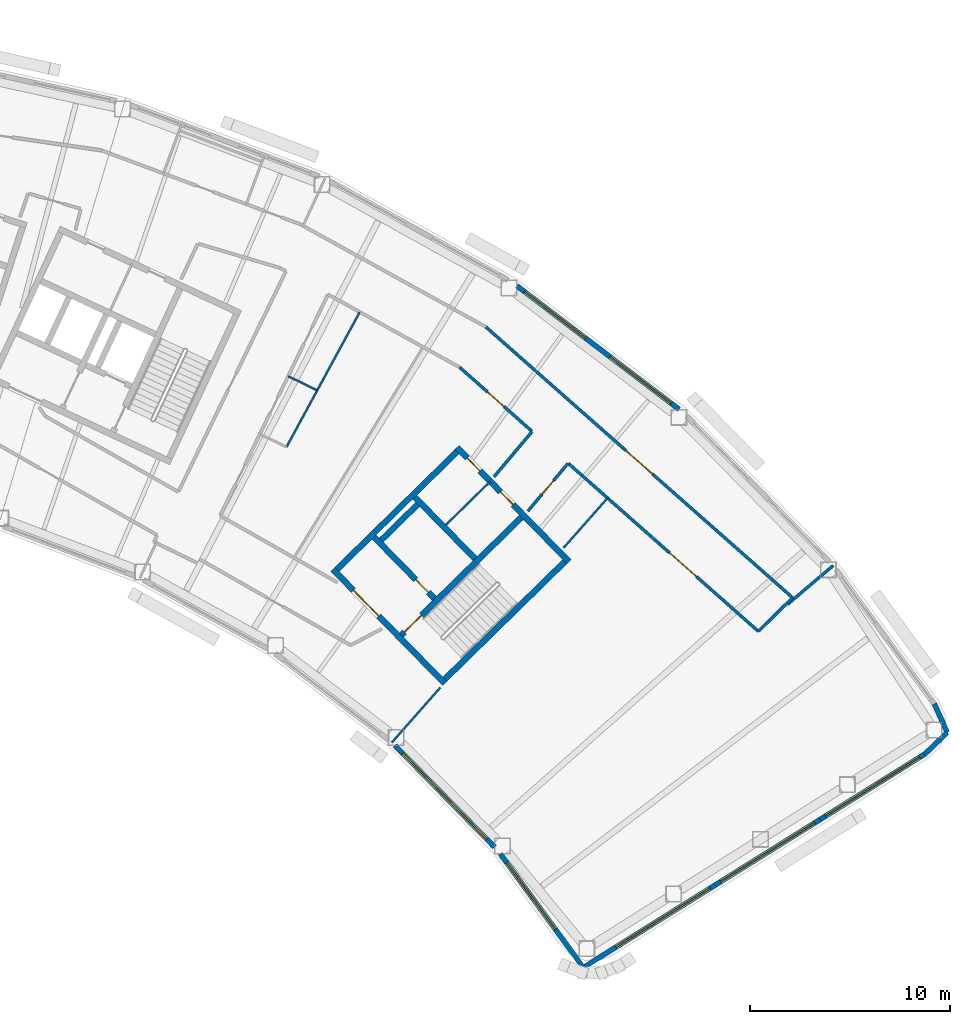
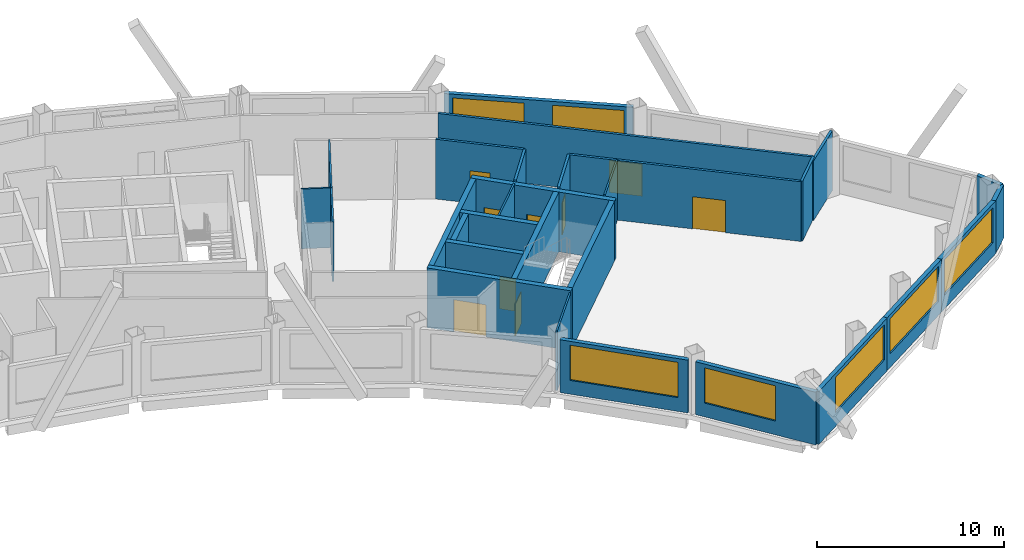
# One storey, part 9 of 14: 28 walls, 9 doors, 7 windows, 16 openings.
"""IFC4 building model written with IfcOpenShell, lengths in metres."""

from ifc_helpers import new_model, si_unit, direction, frame, frame_2d, origin, place, context, subcontext, project, spatial, rectangle, extrude, material, layer, layer_set, type_object, element, fill, save


model = new_model("IFC4")

# Units and contexts
model_context = context("Model", 3, precision=1e-05, world=origin(), true_north=direction((0.0, 1.0)))
body_context = subcontext(model_context, "Body", "Model", "MODEL_VIEW")
ifc_project = project(units=[si_unit("LENGTHUNIT", "METRE"), si_unit("AREAUNIT", "SQUARE_METRE"), si_unit("VOLUMEUNIT", "CUBIC_METRE"), si_unit("PLANEANGLEUNIT", "RADIAN"), si_unit("MASSUNIT", "GRAM", prefix="KILO")], contexts=[model_context])

# Site, building, storey
site_placement = place(None, origin())
site = spatial("IfcSite", under=ifc_project, at=site_placement, CompositionType="ELEMENT")
building_placement = place(site_placement, origin())
building = spatial("IfcBuilding", under=site, at=building_placement, Name="Tuul Gate Civic Tower", CompositionType="ELEMENT")
storey_placement = place(building_placement, frame((0.0, 0.0, 265.199951171875)))
storey = spatial("IfcBuildingStorey", under=building, at=storey_placement, Name="Level 60", CompositionType="ELEMENT", Elevation=265.199951171875)

# Wall, opening, door
ifc_material_1 = material(Name="Concrete C50/60", Category="concrete")
ifc_layer_1 = layer(ifc_material_1, 0.300048828125)
ifc_layer_set_1 = layer_set([ifc_layer_1], Name="Concrete C50/60")
wall_type_1 = type_object("IfcWallType", Name="Core wall C50/60", PredefinedType="SHEAR", material=ifc_layer_set_1)
wall_1_placement = place(storey_placement, frame((48.22509765625, -18.327880859375, 0.0), z_axis=(0.0, 0.0, 1.0), x_axis=(-0.700021979774, 0.714121297703, 0.0)))
wall_1 = element("IfcWall", 1, at=wall_1_placement, inside=storey, type_object=wall_type_1, Name="Core wall", PredefinedType="SHEAR", context=body_context, shape_type="SweptSolid", body=[
    extrude(rectangle(XDim=8.0, YDim=0.300048828125, at=frame_2d((4.0, 0.0))), origin(), (0.0, 0.0, 1.0), 3.900146484375),
])
opening_1_placement = place(wall_1_placement, frame((4.72509765625, 0.0, 0.0)))
opening_1 = element("IfcOpeningElement", 2, at=opening_1_placement, cuts=wall_1, Name="Opening LB-E1-LOBBY-1", PredefinedType="OPENING", context=body_context, shape_type="SweptSolid", body=[
    extrude(rectangle(XDim=1.800048828125, YDim=2.10009765625, at=frame_2d((0.89990234375, 1.050048828125))), frame((0.0, 0.16015625, 0.0), z_axis=(0.0, -1.0, 0.0), x_axis=(1.0, 0.0, 0.0)), (0.0, 0.0, 1.0), 0.320068359375),
])
ifc_material_2 = material(Name="Steel", Category="steel")
door_type_1 = type_object("IfcDoorType", Name="Lobby door", OperationType="DOUBLE_DOOR_SINGLE_SWING", PredefinedType="DOOR", material=ifc_material_2)
door_1_placement = place(opening_1_placement, frame((1.800048828125, 0.0, 0.0), z_axis=(0.0, 0.0, 1.0), x_axis=(-1.0, 0.0, 0.0)))
door_1 = element("IfcDoor", 3, at=door_1_placement, inside=storey, type_object=door_type_1, Name="Lobby door E1-LOBBY", OperationType="DOUBLE_DOOR_SINGLE_SWING", OverallHeight=2.10009765625, OverallWidth=1.800048828125, PredefinedType="DOOR", context=body_context, shape_type="SweptSolid", body=[
    extrude(rectangle(XDim=1.800048828125, YDim=2.10009765625, at=frame_2d((0.900146484375, 1.050048828125))), frame((0.0, 0.02490234375, 0.0), z_axis=(0.0, -1.0, 0.0), x_axis=(1.0, 0.0, 0.0)), (0.0, 0.0, 1.0), 0.050048828125),
])
fill(opening_1, door_1)

wall_2_placement = place(storey_placement, frame((47.701904296875, -14.079833984375, 0.0), z_axis=(0.0, 0.0, 1.0), x_axis=(-0.700002721075, 0.714140175657, 0.0)))
wall_2 = element("IfcWall", 4, at=wall_2_placement, inside=storey, type_object=wall_type_1, Name="Core wall", PredefinedType="SHEAR", context=body_context, shape_type="SweptSolid", body=[
    extrude(rectangle(XDim=4.300048828125, YDim=0.300048828125, at=frame_2d((2.14990234375, 0.0))), origin(), (0.0, 0.0, 1.0), 3.900146484375),
])
opening_2_placement = place(wall_2_placement, frame((0.425048828125, 0.0, 0.0)))
opening_2 = element("IfcOpeningElement", 5, at=opening_2_placement, cuts=wall_2, Name="Opening FB-E1A1", PredefinedType="OPENING", context=body_context, shape_type="SweptSolid", body=[
    extrude(rectangle(XDim=0.89990234375, YDim=2.10009765625, at=frame_2d((0.449951171875, 1.050048828125))), frame((0.0, 0.16015625, 0.0), z_axis=(0.0, -1.0, 0.0), x_axis=(1.0, 0.0, 0.0)), (0.0, 0.0, 1.0), 0.320068359375),
])
ifc_material_3 = material(Name="Steel", Category="steel")
door_type_2 = type_object("IfcDoorType", Name="Store door", OperationType="NOTDEFINED", PredefinedType="DOOR", material=ifc_material_3)
door_2_placement = place(opening_2_placement, frame((0.89990234375, 0.0, 0.0), z_axis=(0.0, 0.0, 1.0), x_axis=(-1.0, 0.0, 0.0)))
door_2 = element("IfcDoor", 6, at=door_2_placement, inside=storey, type_object=door_type_2, Name="Store door E1A1", OperationType="SINGLE_SWING_RIGHT", OverallHeight=2.10009765625, OverallWidth=0.89990234375, PredefinedType="DOOR", context=body_context, shape_type="SweptSolid", body=[
    extrude(rectangle(XDim=0.89990234375, YDim=2.10009765625, at=frame_2d((0.449951171875, 1.050048828125))), frame((0.0, 0.02490234375, 0.0), z_axis=(0.0, -1.0, 0.0), x_axis=(1.0, 0.0, 0.0)), (0.0, 0.0, 1.0), 0.050048828125),
])
fill(opening_2, door_2)

# Wall
wall_3_placement = place(storey_placement, frame((49.737060546875, -12.0849609375, 0.0), z_axis=(0.0, 0.0, 1.0), x_axis=(-0.700002721075, 0.714140175657, 0.0)))
element("IfcWall", 7, at=wall_3_placement, inside=storey, type_object=wall_type_1, Name="Core wall", PredefinedType="SHEAR", context=body_context, shape_type="SweptSolid", body=[
    extrude(rectangle(XDim=4.300048828125, YDim=0.300048828125, at=frame_2d((2.14990234375, 0.0))), origin(), (0.0, 0.0, 1.0), 3.900146484375),
])

# Wall, openings, doors
wall_4_placement = place(storey_placement, frame((54.43798828125, -12.23779296875, 0.0), z_axis=(0.0, 0.0, 1.0), x_axis=(-0.700021979774, 0.714121297703, 0.0)))
wall_4 = element("IfcWall", 8, at=wall_4_placement, inside=storey, type_object=wall_type_1, Name="Core wall", PredefinedType="SHEAR", context=body_context, shape_type="SweptSolid", body=[
    extrude(rectangle(XDim=8.0, YDim=0.300048828125, at=frame_2d((4.0, 0.0))), origin(), (0.0, 0.0, 1.0), 3.900146484375),
])
opening_3_placement = place(wall_4_placement, frame((3.987548828125, 0.0, 0.0)))
opening_3 = element("IfcOpeningElement", 9, at=opening_3_placement, cuts=wall_4, Name="Opening V-D28", PredefinedType="OPENING", context=body_context, shape_type="SweptSolid", body=[
    extrude(rectangle(XDim=0.89990234375, YDim=2.10009765625, at=frame_2d((0.449951171875, 1.050048828125))), frame((0.0, 0.16015625, 0.0), z_axis=(0.0, -1.0, 0.0), x_axis=(1.0, 0.0, 0.0)), (0.0, 0.0, 1.0), 0.320068359375),
])
opening_4_placement = place(wall_4_placement, frame((6.362548828125, 0.0, 0.0)))
opening_4 = element("IfcOpeningElement", 10, at=opening_4_placement, cuts=wall_4, Name="Opening V-D29", PredefinedType="OPENING", context=body_context, shape_type="SweptSolid", body=[
    extrude(rectangle(XDim=0.89990234375, YDim=2.10009765625, at=frame_2d((0.449951171875, 1.050048828125))), frame((0.0, 0.16015625, 0.0), z_axis=(0.0, -1.0, 0.0), x_axis=(1.0, 0.0, 0.0)), (0.0, 0.0, 1.0), 0.320068359375),
])
ifc_material_4 = material(Name="Timber door leaf", Category="wood")
door_type_3 = type_object("IfcDoorType", Name="Door D09", OperationType="NOTDEFINED", PredefinedType="DOOR", material=ifc_material_4)
door_3_placement = place(opening_3_placement, origin())
door_3 = element("IfcDoor", 11, at=door_3_placement, inside=storey, type_object=door_type_3, Name="Door V-D28", OperationType="SINGLE_SWING_LEFT", OverallHeight=2.10009765625, OverallWidth=0.89990234375, PredefinedType="DOOR", context=body_context, shape_type="SweptSolid", body=[
    extrude(rectangle(XDim=0.89990234375, YDim=2.10009765625, at=frame_2d((0.449951171875, 1.050048828125))), frame((0.0, 0.02490234375, 0.0), z_axis=(0.0, -1.0, 0.0), x_axis=(1.0, 0.0, 0.0)), (0.0, 0.0, 1.0), 0.050048828125),
])
fill(opening_3, door_3)
door_4_placement = place(opening_4_placement, origin())
door_4 = element("IfcDoor", 12, at=door_4_placement, inside=storey, type_object=door_type_3, Name="Door V-D29", OperationType="SINGLE_SWING_LEFT", OverallHeight=2.10009765625, OverallWidth=0.89990234375, PredefinedType="DOOR", context=body_context, shape_type="SweptSolid", body=[
    extrude(rectangle(XDim=0.89990234375, YDim=2.10009765625, at=frame_2d((0.449951171875, 1.050048828125))), frame((0.0, 0.02490234375, 0.0), z_axis=(0.0, -1.0, 0.0), x_axis=(1.0, 0.0, 0.0)), (0.0, 0.0, 1.0), 0.050048828125),
])
fill(opening_4, door_4)

# Wall
wall_5_placement = place(storey_placement, frame((48.227294921875, -18.115966796875, 0.0), z_axis=(0.0, 0.0, 1.0), x_axis=(0.714105315431, 0.700038283577, 0.0)))
element("IfcWall", 13, at=wall_5_placement, inside=storey, type_object=wall_type_1, Name="Core wall", PredefinedType="SHEAR", context=body_context, shape_type="SweptSolid", body=[
    extrude(rectangle(XDim=8.400146484375, YDim=0.300048828125, at=frame_2d((4.2001953125, 0.0))), origin(), (0.0, 0.0, 1.0), 3.900146484375),
])

# Wall, opening, door
wall_6_placement = place(storey_placement, frame((46.05712890625, -15.902099609375, 0.0), z_axis=(0.0, 0.0, 1.0), x_axis=(0.714134086973, 0.700008932674, 0.0)))
wall_6 = element("IfcWall", 14, at=wall_6_placement, inside=storey, type_object=wall_type_1, Name="Core wall", PredefinedType="SHEAR", context=body_context, shape_type="SweptSolid", body=[
    extrude(rectangle(XDim=8.400146484375, YDim=0.300048828125, at=frame_2d((4.2001953125, 0.0))), origin(), (0.0, 0.0, 1.0), 3.900146484375),
])
opening_5_placement = place(wall_6_placement, frame((0.199951171875, 0.0, 0.0)))
opening_5 = element("IfcOpeningElement", 15, at=opening_5_placement, cuts=wall_6, Name="Opening SD-ST-3", PredefinedType="OPENING", context=body_context, shape_type="SweptSolid", body=[
    extrude(rectangle(XDim=1.199951171875, YDim=2.10009765625, at=frame_2d((0.60009765625, 1.050048828125))), frame((0.0, 0.16015625, 0.0), z_axis=(0.0, -1.0, 0.0), x_axis=(1.0, 0.0, 0.0)), (0.0, 0.0, 1.0), 0.320068359375),
])
ifc_material_5 = material(Name="Steel", Category="steel")
door_type_4 = type_object("IfcDoorType", Name="Stair door", OperationType="NOTDEFINED", PredefinedType="DOOR", material=ifc_material_5)
door_5_placement = place(opening_5_placement, origin())
door_5 = element("IfcDoor", 16, at=door_5_placement, inside=storey, type_object=door_type_4, Name="Stair door ST-3", OperationType="SINGLE_SWING_LEFT", OverallHeight=2.10009765625, OverallWidth=1.199951171875, PredefinedType="DOOR", context=body_context, shape_type="SweptSolid", body=[
    extrude(rectangle(XDim=1.199951171875, YDim=2.10009765625, at=frame_2d((0.60009765625, 1.050048828125))), frame((0.0, 0.02490234375, 0.0), z_axis=(0.0, -1.0, 0.0), x_axis=(1.0, 0.0, 0.0)), (0.0, 0.0, 1.0), 0.050048828125),
])
fill(opening_5, door_5)

# Walls
wall_7_placement = place(storey_placement, frame((45.0439453125, -11.154052734375, 0.0), z_axis=(0.0, 0.0, 1.0), x_axis=(0.714108498262, 0.700035036773, 0.0)))
element("IfcWall", 17, at=wall_7_placement, inside=storey, type_object=wall_type_1, Name="Core wall", PredefinedType="SHEAR", context=body_context, shape_type="SweptSolid", body=[
    extrude(rectangle(XDim=2.550048828125, YDim=0.300048828125, at=frame_2d((1.27490234375, 0.0))), origin(), (0.0, 0.0, 1.0), 3.900146484375),
])
wall_8_placement = place(storey_placement, frame((42.837158203125, -12.616943359375, 0.0), z_axis=(0.0, 0.0, 1.0), x_axis=(0.714119844755, 0.700023461983, 0.0)))
element("IfcWall", 18, at=wall_8_placement, inside=storey, type_object=wall_type_1, Name="Core wall", PredefinedType="SHEAR", context=body_context, shape_type="SweptSolid", body=[
    extrude(rectangle(XDim=8.39990234375, YDim=0.300048828125, at=frame_2d((4.199951171875, 0.0))), origin(), (0.0, 0.0, 1.0), 3.900146484375),
])
ifc_material_6 = material(Name="Gypsum board partition")
ifc_layer_2 = layer(ifc_material_6, 0.14990234375)
ifc_layer_set_2 = layer_set([ifc_layer_2], Name="Gypsum board partition")
wall_type_2 = type_object("IfcWallType", Name="Corridor wall P150", PredefinedType="PARTITIONING", material=ifc_layer_set_2)
wall_9_placement = place(storey_placement, frame((65.37451171875, -14.36083984375, 0.0), z_axis=(0.0, 0.0, 1.0), x_axis=(0.762853274711, 0.646571636605, 0.0)))
element("IfcWall", 19, at=wall_9_placement, inside=storey, type_object=wall_type_2, Name="p004", PredefinedType="PARTITIONING", context=body_context, shape_type="SweptSolid", body=[
    extrude(rectangle(XDim=2.98974609375, YDim=0.14990234375, at=frame_2d((1.494873046875, 0.0))), origin(), (0.0, 0.0, 1.0), 3.900146484375),
])
wall_10_placement = place(storey_placement, frame((63.91015625, -15.72119140625, 0.0), z_axis=(0.0, 0.0, 1.0), x_axis=(0.711669598432, 0.702514329155, 0.0)))
element("IfcWall", 20, at=wall_10_placement, inside=storey, type_object=wall_type_2, Name="p005", PredefinedType="PARTITIONING", context=body_context, shape_type="SweptSolid", body=[
    extrude(rectangle(XDim=2.39990234375, YDim=0.14990234375, at=frame_2d((1.199951171875, 0.0))), origin(), (0.0, 0.0, 1.0), 3.900146484375),
])

# Wall, opening, door
wall_11_placement = place(storey_placement, frame((50.28125, -0.499267578125, 0.0), z_axis=(0.0, 0.0, 1.0), x_axis=(0.749757392986, -0.661712816608, 0.0)))
wall_11 = element("IfcWall", 21, at=wall_11_placement, inside=storey, type_object=wall_type_2, Name="p006", PredefinedType="PARTITIONING", context=body_context, shape_type="SweptSolid", body=[
    extrude(rectangle(XDim=20.455810546875, YDim=0.14990234375, at=frame_2d((10.22802734375, 0.0))), origin(), (0.0, 0.0, 1.0), 3.900146484375),
])
opening_6_placement = place(wall_11_placement, frame((9.327880859375, 0.0, 0.0)))
opening_6 = element("IfcOpeningElement", 22, at=opening_6_placement, cuts=wall_11, Name="Opening V-D01", PredefinedType="OPENING", context=body_context, shape_type="SweptSolid", body=[
    extrude(rectangle(XDim=1.800048828125, YDim=2.10009765625, at=frame_2d((0.89990234375, 1.050048828125))), frame((0.0, 0.0849609375, 0.0), z_axis=(0.0, -1.0, 0.0), x_axis=(1.0, 0.0, 0.0)), (0.0, 0.0, 1.0), 0.169921875),
])
ifc_material_7 = material(Name="Timber door leaf, double", Category="wood")
door_type_5 = type_object("IfcDoorType", Name="Door D18", OperationType="DOUBLE_DOOR_SINGLE_SWING", PredefinedType="DOOR", material=ifc_material_7)
door_6_placement = place(opening_6_placement, origin())
door_6 = element("IfcDoor", 23, at=door_6_placement, inside=storey, type_object=door_type_5, Name="Door V-D01", OperationType="DOUBLE_DOOR_SINGLE_SWING", OverallHeight=2.10009765625, OverallWidth=1.800048828125, PredefinedType="DOOR", context=body_context, shape_type="SweptSolid", body=[
    extrude(rectangle(XDim=1.800048828125, YDim=2.10009765625, at=frame_2d((0.89990234375, 1.050048828125))), frame((0.0, 0.02490234375, 0.0), z_axis=(0.0, -1.0, 0.0), x_axis=(1.0, 0.0, 0.0)), (0.0, 0.0, 1.0), 0.050048828125),
])
fill(opening_6, door_6)

wall_12_placement = place(storey_placement, frame((48.968017578125, -2.51611328125, 0.0), z_axis=(0.0, 0.0, 1.0), x_axis=(0.749324996254, -0.662202423726, 0.0)))
wall_12 = element("IfcWall", 24, at=wall_12_placement, inside=storey, type_object=wall_type_2, Name="p049", PredefinedType="PARTITIONING", context=body_context, shape_type="SweptSolid", body=[
    extrude(rectangle(XDim=4.82275390625, YDim=0.14990234375, at=frame_2d((2.411376953125, 0.0))), origin(), (0.0, 0.0, 1.0), 3.900146484375),
])
opening_7_placement = place(wall_12_placement, frame((1.861572265625, 0.0, 0.0)))
opening_7 = element("IfcOpeningElement", 25, at=opening_7_placement, cuts=wall_12, Name="Opening V-D17", PredefinedType="OPENING", context=body_context, shape_type="SweptSolid", body=[
    extrude(rectangle(XDim=1.10009765625, YDim=2.10009765625, at=frame_2d((0.550048828125, 1.050048828125))), frame((0.0, 0.0849609375, 0.0), z_axis=(0.0, -1.0, 0.0), x_axis=(1.0, 0.0, 0.0)), (0.0, 0.0, 1.0), 0.169921875),
])
ifc_material_8 = material(Name="Timber door leaf", Category="wood")
door_type_6 = type_object("IfcDoorType", Name="Door D11", OperationType="NOTDEFINED", PredefinedType="DOOR", material=ifc_material_8)
door_7_placement = place(opening_7_placement, frame((1.10009765625, 0.0, 0.0), z_axis=(0.0, 0.0, 1.0), x_axis=(-1.0, 0.0, 0.0)))
door_7 = element("IfcDoor", 26, at=door_7_placement, inside=storey, type_object=door_type_6, Name="Door V-D17", OperationType="SINGLE_SWING_LEFT", OverallHeight=2.10009765625, OverallWidth=1.10009765625, PredefinedType="DOOR", context=body_context, shape_type="SweptSolid", body=[
    extrude(rectangle(XDim=1.10009765625, YDim=2.10009765625, at=frame_2d((0.550048828125, 1.050048828125))), frame((0.0, 0.02490234375, 0.0), z_axis=(0.0, -1.0, 0.0), x_axis=(1.0, 0.0, 0.0)), (0.0, 0.0, 1.0), 0.050048828125),
])
fill(opening_7, door_7)

wall_13_placement = place(storey_placement, frame((54.41064453125, -7.326171875, 0.0), z_axis=(0.0, 0.0, 1.0), x_axis=(0.749325085344, -0.662202322915, 0.0)))
wall_13 = element("IfcWall", 27, at=wall_13_placement, inside=storey, type_object=wall_type_2, Name="p050", PredefinedType="PARTITIONING", context=body_context, shape_type="SweptSolid", body=[
    extrude(rectangle(XDim=12.677490234375, YDim=0.14990234375, at=frame_2d((6.3388671875, 0.0))), origin(), (0.0, 0.0, 1.0), 3.900146484375),
])
opening_8_placement = place(wall_13_placement, frame((6.7431640625, 0.0, 0.0)))
opening_8 = element("IfcOpeningElement", 28, at=opening_8_placement, cuts=wall_13, Name="Opening V-D08", PredefinedType="OPENING", context=body_context, shape_type="SweptSolid", body=[
    extrude(rectangle(XDim=1.800048828125, YDim=2.10009765625, at=frame_2d((0.89990234375, 1.050048828125))), frame((0.0, 0.0849609375, 0.0), z_axis=(0.0, -1.0, 0.0), x_axis=(1.0, 0.0, 0.0)), (0.0, 0.0, 1.0), 0.169921875),
])
door_8_placement = place(opening_8_placement, frame((1.800048828125, 0.0, 0.0), z_axis=(0.0, 0.0, 1.0), x_axis=(-1.0, 0.0, 0.0)))
door_8 = element("IfcDoor", 29, at=door_8_placement, inside=storey, type_object=door_type_5, Name="Door V-D08", OperationType="DOUBLE_DOOR_SINGLE_SWING", OverallHeight=2.10009765625, OverallWidth=1.800048828125, PredefinedType="DOOR", context=body_context, shape_type="SweptSolid", body=[
    extrude(rectangle(XDim=1.800048828125, YDim=2.10009765625, at=frame_2d((0.900146484375, 1.050048828125))), frame((0.0, 0.02490234375, 0.0), z_axis=(0.0, -1.0, 0.0), x_axis=(1.0, 0.0, 0.0)), (0.0, 0.0, 1.0), 0.050048828125),
])
fill(opening_8, door_8)

wall_14_placement = place(storey_placement, frame((52.3798828125, -9.709228515625, 0.0), z_axis=(0.0, 0.0, 1.0), x_axis=(0.643582174705, 0.765377021083, 0.0)))
wall_14 = element("IfcWall", 30, at=wall_14_placement, inside=storey, type_object=wall_type_2, Name="p051", PredefinedType="PARTITIONING", context=body_context, shape_type="SweptSolid", body=[
    extrude(rectangle(XDim=3.111083984375, YDim=0.14990234375, at=frame_2d((1.5556640625, 0.0))), origin(), (0.0, 0.0, 1.0), 3.900146484375),
])
opening_9_placement = place(wall_14_placement, frame((1.10546875, 0.0, 0.0)))
opening_9 = element("IfcOpeningElement", 31, at=opening_9_placement, cuts=wall_14, Name="Opening V-D09", PredefinedType="OPENING", context=body_context, shape_type="SweptSolid", body=[
    extrude(rectangle(XDim=0.89990234375, YDim=2.10009765625, at=frame_2d((0.449951171875, 1.050048828125))), frame((0.0, 0.0849609375, 0.0), z_axis=(0.0, -1.0, 0.0), x_axis=(1.0, 0.0, 0.0)), (0.0, 0.0, 1.0), 0.169921875),
])
door_9_placement = place(opening_9_placement, frame((0.89990234375, 0.0, 0.0), z_axis=(0.0, 0.0, 1.0), x_axis=(-1.0, 0.0, 0.0)))
door_9 = element("IfcDoor", 32, at=door_9_placement, inside=storey, type_object=door_type_3, Name="Door V-D09", OperationType="SINGLE_SWING_LEFT", OverallHeight=2.10009765625, OverallWidth=0.89990234375, PredefinedType="DOOR", context=body_context, shape_type="SweptSolid", body=[
    extrude(rectangle(XDim=0.89990234375, YDim=2.10009765625, at=frame_2d((0.449951171875, 1.050048828125))), frame((0.0, 0.02490234375, 0.0), z_axis=(0.0, -1.0, 0.0), x_axis=(1.0, 0.0, 0.0)), (0.0, 0.0, 1.0), 0.050048828125),
])
fill(opening_9, door_9)

# Walls
wall_15_placement = place(storey_placement, frame((50.692138671875, -7.9873046875, 0.0), z_axis=(0.0, 0.0, 1.0), x_axis=(0.643601041613, 0.765361156079, 0.0)))
element("IfcWall", 33, at=wall_15_placement, inside=storey, type_object=wall_type_2, Name="p089", PredefinedType="PARTITIONING", context=body_context, shape_type="SweptSolid", body=[
    extrude(rectangle(XDim=2.939453125, YDim=0.14990234375, at=frame_2d((1.4697265625, 0.0))), origin(), (0.0, 0.0, 1.0), 3.900146484375),
])
ifc_material_9 = material(Name="Precast concrete C40/50", Category="concrete")
ifc_layer_3 = layer(ifc_material_9, 0.25)
ifc_layer_set_3 = layer_set([ifc_layer_3], Name="Precast concrete C40/50")
wall_type_3 = type_object("IfcWallType", Name="External wall", PredefinedType="STANDARD", material=ifc_layer_set_3)
wall_16_placement = place(storey_placement, frame((72.2216796875, -21.86669921875, 0.0), z_axis=(0.0, 0.0, 1.0), x_axis=(0.722783622894, 0.69107440589, 0.0)))
element("IfcWall", 34, at=wall_16_placement, inside=storey, type_object=wall_type_3, Name="External wall", PredefinedType="STANDARD", context=body_context, shape_type="SweptSolid", body=[
    extrude(rectangle(XDim=1.570556640625, YDim=0.25, at=frame_2d((0.78515625, 0.0))), origin(), (0.0, 0.0, 1.0), 3.449951171875),
])
wall_17_placement = place(storey_placement, frame((73.35693359375, -20.78125, 0.0), z_axis=(0.0, 0.0, 1.0), x_axis=(-0.412995937313, 0.9107328674, 0.0)))
element("IfcWall", 35, at=wall_17_placement, inside=storey, type_object=wall_type_3, Name="External wall", PredefinedType="STANDARD", context=body_context, shape_type="SweptSolid", body=[
    extrude(rectangle(XDim=1.572998046875, YDim=0.25, at=frame_2d((0.78662109375, 0.0))), origin(), (0.0, 0.0, 1.0), 3.449951171875),
])

# Wall, openings, windows
wall_18_placement = place(storey_placement, frame((59.9404296875, -4.616943359375, 0.0), z_axis=(0.0, 0.0, 1.0), x_axis=(-0.795654969417, 0.605750088437, 0.0)))
wall_18 = element("IfcWall", 36, at=wall_18_placement, inside=storey, type_object=wall_type_3, Name="External wall", PredefinedType="STANDARD", context=body_context, shape_type="SweptSolid", body=[
    extrude(rectangle(XDim=10.189697265625, YDim=0.25, at=frame_2d((5.0947265625, 0.0))), origin(), (0.0, 0.0, 1.0), 3.449951171875),
])
opening_10_placement = place(wall_18_placement, frame((0.49560546875, 0.0, 0.89990234375)))
opening_10 = element("IfcOpeningElement", 37, at=opening_10_placement, cuts=wall_18, Name="Opening W22", PredefinedType="OPENING", context=body_context, shape_type="SweptSolid", body=[
    extrude(rectangle(XDim=3.85009765625, YDim=2.300048828125, at=frame_2d((1.925048828125, 1.14990234375))), frame((0.0, 0.135009765625, 0.0), z_axis=(0.0, -1.0, 0.0), x_axis=(1.0, 0.0, 0.0)), (0.0, 0.0, 1.0), 0.27001953125),
])
opening_11_placement = place(wall_18_placement, frame((5.86669921875, 0.0, 0.89990234375)))
opening_11 = element("IfcOpeningElement", 38, at=opening_11_placement, cuts=wall_18, Name="Opening W22", PredefinedType="OPENING", context=body_context, shape_type="SweptSolid", body=[
    extrude(rectangle(XDim=3.85009765625, YDim=2.300048828125, at=frame_2d((1.925048828125, 1.14990234375))), frame((0.0, 0.135009765625, 0.0), z_axis=(0.0, -1.0, 0.0), x_axis=(1.0, 0.0, 0.0)), (0.0, 0.0, 1.0), 0.27001953125),
])
ifc_material_10 = material(Name="Glass", Category="glass")
window_type_1 = type_object("IfcWindowType", Name="Window W22 3850 x 2300", PartitioningType="SINGLE_PANEL", PredefinedType="WINDOW", material=ifc_material_10)
window_1_placement = place(opening_10_placement, origin())
window_1 = element("IfcWindow", 39, at=window_1_placement, inside=storey, type_object=window_type_1, Name="Window", OverallHeight=2.300048828125, OverallWidth=3.85009765625, PartitioningType="SINGLE_PANEL", PredefinedType="WINDOW", context=body_context, shape_type="SweptSolid", body=[
    extrude(rectangle(XDim=3.85009765625, YDim=2.300048828125, at=frame_2d((1.925048828125, 1.14990234375))), frame((0.0, 0.030029296875, 0.0), z_axis=(0.0, -1.0, 0.0), x_axis=(1.0, 0.0, 0.0)), (0.0, 0.0, 1.0), 0.06005859375),
])
fill(opening_10, window_1)
window_2_placement = place(opening_11_placement, origin())
window_2 = element("IfcWindow", 40, at=window_2_placement, inside=storey, type_object=window_type_1, Name="Window", OverallHeight=2.300048828125, OverallWidth=3.85009765625, PartitioningType="SINGLE_PANEL", PredefinedType="WINDOW", context=body_context, shape_type="SweptSolid", body=[
    extrude(rectangle(XDim=3.85009765625, YDim=2.300048828125, at=frame_2d((1.925048828125, 1.14990234375))), frame((0.0, 0.030029296875, 0.0), z_axis=(0.0, -1.0, 0.0), x_axis=(1.0, 0.0, 0.0)), (0.0, 0.0, 1.0), 0.06005859375),
])
fill(opening_11, window_2)

# Wall, opening, window
wall_19_placement = place(storey_placement, frame((45.73486328125, -21.428955078125, 0.0), z_axis=(0.0, 0.0, 1.0), x_axis=(0.700015105418, -0.714128036269, 0.0)))
wall_19 = element("IfcWall", 41, at=wall_19_placement, inside=storey, type_object=wall_type_3, Name="External wall", PredefinedType="STANDARD", context=body_context, shape_type="SweptSolid", body=[
    extrude(rectangle(XDim=7.10986328125, YDim=0.25, at=frame_2d((3.554931640625, 0.0))), origin(), (0.0, 0.0, 1.0), 3.449951171875),
])
opening_12_placement = place(wall_19_placement, frame((0.553955078125, 0.0, 0.89990234375)))
opening_12 = element("IfcOpeningElement", 42, at=opening_12_placement, cuts=wall_19, Name="Opening W26", PredefinedType="OPENING", context=body_context, shape_type="SweptSolid", body=[
    extrude(rectangle(XDim=6.0, YDim=2.300048828125, at=frame_2d((3.0, 1.14990234375))), frame((0.0, 0.135009765625, 0.0), z_axis=(0.0, -1.0, 0.0), x_axis=(1.0, 0.0, 0.0)), (0.0, 0.0, 1.0), 0.27001953125),
])
ifc_material_11 = material(Name="Glass", Category="glass")
window_type_2 = type_object("IfcWindowType", Name="Window W26 6000 x 2300", PartitioningType="SINGLE_PANEL", PredefinedType="WINDOW", material=ifc_material_11)
window_3_placement = place(opening_12_placement, origin())
window_3 = element("IfcWindow", 43, at=window_3_placement, inside=storey, type_object=window_type_2, Name="Window", OverallHeight=2.300048828125, OverallWidth=6.0, PartitioningType="SINGLE_PANEL", PredefinedType="WINDOW", context=body_context, shape_type="SweptSolid", body=[
    extrude(rectangle(XDim=6.0, YDim=2.300048828125, at=frame_2d((3.0, 1.14990234375))), frame((0.0, 0.030029296875, 0.0), z_axis=(0.0, -1.0, 0.0), x_axis=(1.0, 0.0, 0.0)), (0.0, 0.0, 1.0), 0.06005859375),
])
fill(opening_12, window_3)

wall_20_placement = place(storey_placement, frame((51.001708984375, -26.85009765625, 0.0), z_axis=(0.0, 0.0, 1.0), x_axis=(0.589734649771, -0.807597079526, 0.0)))
wall_20 = element("IfcWall", 44, at=wall_20_placement, inside=storey, type_object=wall_type_3, Name="External wall", PredefinedType="STANDARD", context=body_context, shape_type="SweptSolid", body=[
    extrude(rectangle(XDim=7.03515625, YDim=0.25, at=frame_2d((3.517578125, 0.0))), origin(), (0.0, 0.0, 1.0), 3.449951171875),
])
opening_13_placement = place(wall_20_placement, frame((0.527587890625, 0.0, 0.89990234375)))
opening_13 = element("IfcOpeningElement", 45, at=opening_13_placement, cuts=wall_20, Name="Opening W25", PredefinedType="OPENING", context=body_context, shape_type="SweptSolid", body=[
    extrude(rectangle(XDim=4.14990234375, YDim=2.300048828125, at=frame_2d((2.074951171875, 1.14990234375))), frame((0.0, 0.135009765625, 0.0), z_axis=(0.0, -1.0, 0.0), x_axis=(1.0, 0.0, 0.0)), (0.0, 0.0, 1.0), 0.27001953125),
])
ifc_material_12 = material(Name="Glass", Category="glass")
window_type_3 = type_object("IfcWindowType", Name="Window W25 4150 x 2300", PartitioningType="SINGLE_PANEL", PredefinedType="WINDOW", material=ifc_material_12)
window_4_placement = place(opening_13_placement, origin())
window_4 = element("IfcWindow", 46, at=window_4_placement, inside=storey, type_object=window_type_3, Name="Window", OverallHeight=2.300048828125, OverallWidth=4.14990234375, PartitioningType="SINGLE_PANEL", PredefinedType="WINDOW", context=body_context, shape_type="SweptSolid", body=[
    extrude(rectangle(XDim=4.14990234375, YDim=2.300048828125, at=frame_2d((2.074951171875, 1.14990234375))), frame((0.0, 0.030029296875, 0.0), z_axis=(0.0, -1.0, 0.0), x_axis=(1.0, 0.0, 0.0)), (0.0, 0.0, 1.0), 0.06005859375),
])
fill(opening_13, window_4)

wall_21_placement = place(storey_placement, frame((55.150634765625, -32.53173828125, 0.0), z_axis=(0.0, 0.0, 1.0), x_axis=(0.848019436648, 0.529965126274, 0.0)))
wall_21 = element("IfcWall", 47, at=wall_21_placement, inside=storey, type_object=wall_type_3, Name="External wall", PredefinedType="STANDARD", context=body_context, shape_type="SweptSolid", body=[
    extrude(rectangle(XDim=7.7880859375, YDim=0.25, at=frame_2d((3.89404296875, 0.0))), origin(), (0.0, 0.0, 1.0), 3.449951171875),
])
opening_14_placement = place(wall_21_placement, frame((1.921630859375, 0.0, 0.89990234375)))
opening_14 = element("IfcOpeningElement", 48, at=opening_14_placement, cuts=wall_21, Name="Opening W24", PredefinedType="OPENING", context=body_context, shape_type="SweptSolid", body=[
    extrude(rectangle(XDim=5.550048828125, YDim=2.300048828125, at=frame_2d((2.77490234375, 1.14990234375))), frame((0.0, 0.135009765625, 0.0), z_axis=(0.0, -1.0, 0.0), x_axis=(1.0, 0.0, 0.0)), (0.0, 0.0, 1.0), 0.27001953125),
])
ifc_material_13 = material(Name="Glass", Category="glass")
window_type_4 = type_object("IfcWindowType", Name="Window W24 5550 x 2300", PartitioningType="SINGLE_PANEL", PredefinedType="WINDOW", material=ifc_material_13)
window_5_placement = place(opening_14_placement, origin())
window_5 = element("IfcWindow", 49, at=window_5_placement, inside=storey, type_object=window_type_4, Name="Window", OverallHeight=2.300048828125, OverallWidth=5.550048828125, PartitioningType="SINGLE_PANEL", PredefinedType="WINDOW", context=body_context, shape_type="SweptSolid", body=[
    extrude(rectangle(XDim=5.550048828125, YDim=2.300048828125, at=frame_2d((2.77490234375, 1.14990234375))), frame((0.0, 0.030029296875, 0.0), z_axis=(0.0, -1.0, 0.0), x_axis=(1.0, 0.0, 0.0)), (0.0, 0.0, 1.0), 0.06005859375),
])
fill(opening_14, window_5)

wall_22_placement = place(storey_placement, frame((61.755126953125, -28.404296875, 0.0), z_axis=(0.0, 0.0, 1.0), x_axis=(0.848036012993, 0.529938600846, 0.0)))
wall_22 = element("IfcWall", 50, at=wall_22_placement, inside=storey, type_object=wall_type_3, Name="External wall", PredefinedType="STANDARD", context=body_context, shape_type="SweptSolid", body=[
    extrude(rectangle(XDim=6.18310546875, YDim=0.25, at=frame_2d((3.091552734375, 0.0))), origin(), (0.0, 0.0, 1.0), 3.449951171875),
])
opening_15_placement = place(wall_22_placement, frame((0.31640625, 0.0, 0.89990234375)))
opening_15 = element("IfcOpeningElement", 51, at=opening_15_placement, cuts=wall_22, Name="Opening W24", PredefinedType="OPENING", context=body_context, shape_type="SweptSolid", body=[
    extrude(rectangle(XDim=5.550048828125, YDim=2.300048828125, at=frame_2d((2.77490234375, 1.14990234375))), frame((0.0, 0.135009765625, 0.0), z_axis=(0.0, -1.0, 0.0), x_axis=(1.0, 0.0, 0.0)), (0.0, 0.0, 1.0), 0.27001953125),
])
window_6_placement = place(opening_15_placement, origin())
window_6 = element("IfcWindow", 52, at=window_6_placement, inside=storey, type_object=window_type_4, Name="Window", OverallHeight=2.300048828125, OverallWidth=5.550048828125, PartitioningType="SINGLE_PANEL", PredefinedType="WINDOW", context=body_context, shape_type="SweptSolid", body=[
    extrude(rectangle(XDim=5.550048828125, YDim=2.300048828125, at=frame_2d((2.77490234375, 1.14990234375))), frame((0.0, 0.030029296875, 0.0), z_axis=(0.0, -1.0, 0.0), x_axis=(1.0, 0.0, 0.0)), (0.0, 0.0, 1.0), 0.06005859375),
])
fill(opening_15, window_6)

wall_23_placement = place(storey_placement, frame((66.99853515625, -25.127685546875, 0.0), z_axis=(0.0, 0.0, 1.0), x_axis=(0.848024923451, 0.529956346509, 0.0)))
wall_23 = element("IfcWall", 53, at=wall_23_placement, inside=storey, type_object=wall_type_3, Name="External wall", PredefinedType="STANDARD", context=body_context, shape_type="SweptSolid", body=[
    extrude(rectangle(XDim=6.182861328125, YDim=0.25, at=frame_2d((3.09130859375, 0.0))), origin(), (0.0, 0.0, 1.0), 3.449951171875),
])
opening_16_placement = place(wall_23_placement, frame((0.31640625, 0.0, 0.89990234375)))
opening_16 = element("IfcOpeningElement", 54, at=opening_16_placement, cuts=wall_23, Name="Opening W24", PredefinedType="OPENING", context=body_context, shape_type="SweptSolid", body=[
    extrude(rectangle(XDim=5.550048828125, YDim=2.300048828125, at=frame_2d((2.77490234375, 1.14990234375))), frame((0.0, 0.135009765625, 0.0), z_axis=(0.0, -1.0, 0.0), x_axis=(1.0, 0.0, 0.0)), (0.0, 0.0, 1.0), 0.27001953125),
])
window_7_placement = place(opening_16_placement, origin())
window_7 = element("IfcWindow", 55, at=window_7_placement, inside=storey, type_object=window_type_4, Name="Window", OverallHeight=2.300048828125, OverallWidth=5.550048828125, PartitioningType="SINGLE_PANEL", PredefinedType="WINDOW", context=body_context, shape_type="SweptSolid", body=[
    extrude(rectangle(XDim=5.550048828125, YDim=2.300048828125, at=frame_2d((2.77490234375, 1.14990234375))), frame((0.0, 0.030029296875, 0.0), z_axis=(0.0, -1.0, 0.0), x_axis=(1.0, 0.0, 0.0)), (0.0, 0.0, 1.0), 0.06005859375),
])
fill(opening_16, window_7)

# Walls
ifc_material_14 = material(Name="Gypsum board partition")
ifc_layer_4 = layer(ifc_material_14, 0.10009765625)
ifc_layer_set_4 = layer_set([ifc_layer_4], Name="Gypsum board partition")
wall_type_4 = type_object("IfcWallType", Name="Partition P100", PredefinedType="PARTITIONING", material=ifc_layer_set_4)
wall_24_placement = place(storey_placement, frame((45.57861328125, -21.27685546875, 0.0), z_axis=(0.0, 0.0, 1.0), x_axis=(0.661687751175, 0.749779514221, 0.0)))
element("IfcWall", 56, at=wall_24_placement, inside=storey, type_object=wall_type_4, Name="p047", PredefinedType="PARTITIONING", context=body_context, shape_type="SweptSolid", body=[
    extrude(rectangle(XDim=3.663818359375, YDim=0.10009765625, at=frame_2d((1.83203125, 0.0))), origin(), (0.0, 0.0, 1.0), 3.900146484375),
])
wall_25_placement = place(storey_placement, frame((54.172607421875, -11.538818359375, 0.0), z_axis=(0.0, 0.0, 1.0), x_axis=(0.661684976326, 0.749781963043, 0.0)))
element("IfcWall", 57, at=wall_25_placement, inside=storey, type_object=wall_type_4, Name="p048", PredefinedType="PARTITIONING", context=body_context, shape_type="SweptSolid", body=[
    extrude(rectangle(XDim=3.314453125, YDim=0.10009765625, at=frame_2d((1.6572265625, 0.0))), origin(), (0.0, 0.0, 1.0), 3.900146484375),
])
wall_26_placement = place(storey_placement, frame((40.30859375, -6.501708984375, 0.0), z_axis=(0.0, 0.0, 1.0), x_axis=(0.477143068786, 0.878825632256, 0.0)))
element("IfcWall", 58, at=wall_26_placement, inside=storey, type_object=wall_type_4, Name="p091", PredefinedType="PARTITIONING", context=body_context, shape_type="SweptSolid", body=[
    extrude(rectangle(XDim=7.6806640625, YDim=0.10009765625, at=frame_2d((3.84033203125, 0.0))), origin(), (0.0, 0.0, 1.0), 3.900146484375),
])
wall_27_placement = place(storey_placement, frame((40.3935546875, -2.95947265625, 0.0), z_axis=(0.0, 0.0, 1.0), x_axis=(0.898822129412, -0.438313563192, 0.0)))
element("IfcWall", 59, at=wall_27_placement, inside=storey, type_object=wall_type_4, Name="p092", PredefinedType="PARTITIONING", context=body_context, shape_type="SweptSolid", body=[
    extrude(rectangle(XDim=1.616943359375, YDim=0.10009765625, at=frame_2d((0.80859375, 0.0))), origin(), (0.0, 0.0, 1.0), 3.900146484375),
])
wall_28_placement = place(storey_placement, frame((48.28662109375, -10.390869140625, 0.0), z_axis=(0.0, 0.0, 1.0), x_axis=(0.714159293908, 0.699983216173, 0.0)))
element("IfcWall", 60, at=wall_28_placement, inside=storey, type_object=wall_type_4, Name="bE1-BAND-0", PredefinedType="PARTITIONING", context=body_context, shape_type="SweptSolid", body=[
    extrude(rectangle(XDim=3.099853515625, YDim=0.10009765625, at=frame_2d((1.5498046875, 0.0))), origin(), (0.0, 0.0, 1.0), 3.900146484375),
])

save(model, "model.ifc")
